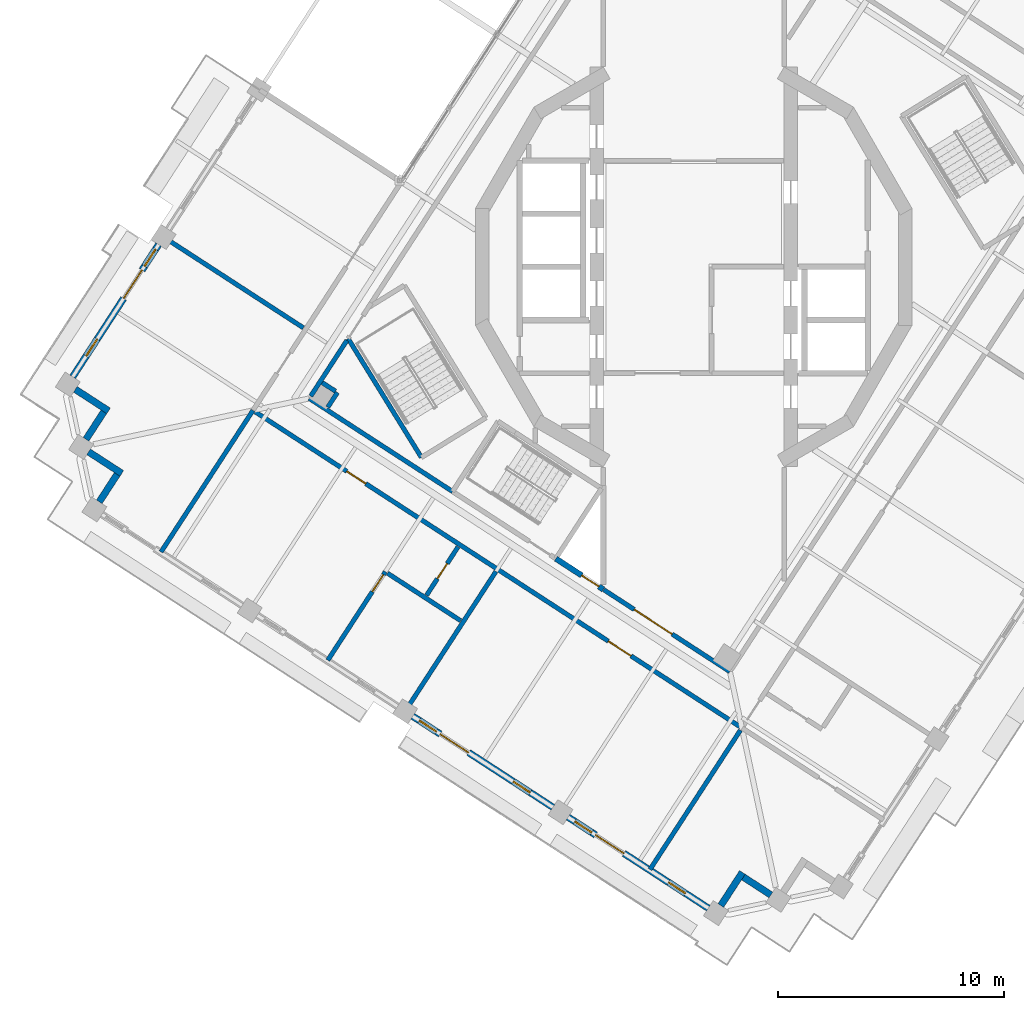
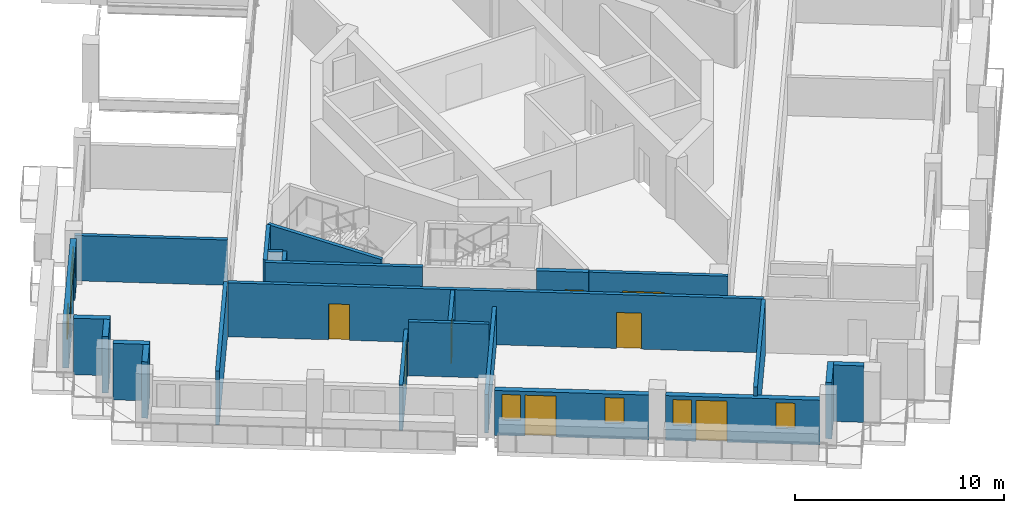
# One storey, part 5 of 17: 24 walls, 9 doors, 6 windows, 15 openings.
"""IFC4 building model written with IfcOpenShell, lengths in metres."""

import ifcopenshell
import ifcopenshell.guid

model = None  # the IFC model being written
_history = None  # IfcOwnerHistory: only IFC2X3 demands one
_inside = {}  # id of a spatial element -> (the spatial element, [elements in it])
_under = {}  # id of a project, library or spatial element -> (it, [spatial elements below it])
_declared = {}  # id of a project -> (the project, [libraries it declares])
_typed = {}  # id of a type object -> (the type object, [elements of that type])
_made_of = {}  # id of a material, layer set ... -> (it, [elements and type objects made of it])


def new_model(schema):
    """Start an empty IFC model of exactly this schema.

    Asked for "IFC4X3", IfcOpenShell would pick the latest addendum, in which some entities
    have other attributes; the version numbers below select the first issue.
    IFC2X3 requires an IfcOwnerHistory on every rooted entity: one is made here for all.
    """
    global model, _history
    if schema == "IFC4X3":
        model = ifcopenshell.file(schema_version=(4, 3, 0, 0))
    else:
        model = ifcopenshell.file(schema=schema)
    _inside.clear()
    _under.clear()
    _declared.clear()
    _typed.clear()
    _made_of.clear()
    _history = None
    if model.schema == "IFC2X3":
        org = make("IfcOrganization", Name="unknown")
        user = make(
            "IfcPersonAndOrganization",
            ThePerson=make("IfcPerson", FamilyName="unknown"),
            TheOrganization=org,
        )
        app = make(
            "IfcApplication",
            ApplicationDeveloper=org,
            Version="unknown",
            ApplicationFullName="unknown",
            ApplicationIdentifier="unknown",
        )
        _history = make(
            "IfcOwnerHistory",
            OwningUser=user,
            OwningApplication=app,
            ChangeAction="ADDED",
            CreationDate=0,
        )
    return model


def make(cls, **values):
    """One entity of the class cls with the attributes given. An attribute that is None is left unset."""
    return model.create_entity(
        cls, **{name: value for name, value in values.items() if value is not None}
    )


def rooted(cls, **values):
    """An entity with a GlobalId (a new one), such as an element, a storey or a relation."""
    return make(cls, GlobalId=ifcopenshell.guid.new(), OwnerHistory=_history, **values)


def si_unit(unit_type, name, prefix=None):
    """IfcSIUnit, for example si_unit("LENGTHUNIT", "METRE", prefix="MILLI")."""
    return make("IfcSIUnit", UnitType=unit_type, Prefix=prefix, Name=name)


def assignment(units):
    """IfcUnitAssignment: the units of a project."""
    return None if units is None else make("IfcUnitAssignment", Units=units)


def point(xyz):
    """IfcCartesianPoint."""
    return None if xyz is None else make("IfcCartesianPoint", Coordinates=xyz)


def direction(xyz):
    """IfcDirection."""
    return None if xyz is None else make("IfcDirection", DirectionRatios=xyz)


def frame(location, z_axis=None, x_axis=None):
    """IfcAxis2Placement3D, a coordinate frame: its origin and axes. An axis left out is left unset."""
    return make(
        "IfcAxis2Placement3D",
        Location=point(location),
        Axis=direction(z_axis),
        RefDirection=direction(x_axis),
    )


def frame_2d(location, x_axis=None):
    """IfcAxis2Placement2D, a coordinate frame in the plane: its origin and x axis."""
    return make(
        "IfcAxis2Placement2D", Location=point(location), RefDirection=direction(x_axis)
    )


def origin():
    """The frame at (0, 0, 0) with its axes left unset."""
    return frame((0.0, 0.0, 0.0))


def place(relative_to, where):
    """IfcLocalPlacement: puts the frame where relative to a parent placement (None: the world)."""
    return make(
        "IfcLocalPlacement", PlacementRelTo=relative_to, RelativePlacement=where
    )


def context(
    kind, dimensions, precision=None, world=None, true_north=None, identifier=None
):
    """IfcGeometricRepresentationContext, for example the 3D "Model" context."""
    return make(
        "IfcGeometricRepresentationContext",
        ContextIdentifier=identifier,
        ContextType=kind,
        CoordinateSpaceDimension=dimensions,
        Precision=precision,
        WorldCoordinateSystem=world,
        TrueNorth=true_north,
    )


def subcontext(parent, identifier, kind, view, scale=None):
    """IfcGeometricRepresentationSubContext, for example "Body" below "Model"."""
    return make(
        "IfcGeometricRepresentationSubContext",
        ContextIdentifier=identifier,
        ContextType=kind,
        ParentContext=parent,
        TargetScale=scale,
        TargetView=view,
    )


def project(units=None, contexts=None):
    """IfcProject with its units and contexts."""
    return rooted(
        "IfcProject",
        Name="project",
        RepresentationContexts=contexts,
        UnitsInContext=assignment(units),
    )


def spatial(cls, under=None, at=None, **own):
    """A site, building, storey or space (cls), placed at a placement, below another one or the project."""
    s = rooted(cls, ObjectPlacement=at, **own)
    if under is not None:
        _under.setdefault(under.id(), (under, []))[1].append(s)
    return s


def profile(cls, at=None, kind="AREA", **sizes):
    """A parametric profile (cls). Its sizes go by their IFC names, for example OverallWidth=200.0."""
    return make(cls, ProfileType=kind, Position=at, **sizes)


def rectangle(**sizes):
    """IfcRectangleProfileDef."""
    return profile("IfcRectangleProfileDef", **sizes)


def extrude(swept, where, along, depth):
    """IfcExtrudedAreaSolid: the profile swept, set in the frame where, extruded along a direction by depth."""
    return make(
        "IfcExtrudedAreaSolid",
        SweptArea=swept,
        Position=where,
        ExtrudedDirection=direction(along),
        Depth=depth,
    )


def shape(context_of_items, identifier, shape_type, items):
    """IfcShapeRepresentation: the items that make up one representation, for example the "Body"."""
    return make(
        "IfcShapeRepresentation",
        ContextOfItems=context_of_items,
        RepresentationIdentifier=identifier,
        RepresentationType=shape_type,
        Items=items,
    )


def material(Name=None, Category=None):
    """IfcMaterial."""
    return make("IfcMaterial", Name=Name, Category=Category)


def layer(
    of_material, thickness, ventilated=None, Name=None, Category=None, Priority=None
):
    """IfcMaterialLayer: one layer of a wall or slab, of a material (None: an air gap)."""
    return make(
        "IfcMaterialLayer",
        Material=of_material,
        LayerThickness=thickness,
        IsVentilated=ventilated,
        Name=Name,
        Category=Category,
        Priority=Priority,
    )


def layer_set(layers, Name=None):
    """IfcMaterialLayerSet."""
    return make("IfcMaterialLayerSet", MaterialLayers=layers, LayerSetName=Name)


def made_of(thing, what):
    """Note that an element or type object is made of a material, layer set ...; save() writes the relation."""
    if what is not None:
        _made_of.setdefault(what.id(), (what, []))[1].append(thing)
    return thing


def type_object(cls, material=None, **own):
    """A type object (cls), such as IfcWallType, which elements share."""
    return made_of(rooted(cls, **own), material)


def element(
    cls,
    number,
    at=None,
    inside=None,
    cuts=None,
    type_object=None,
    material=None,
    context=None,
    identifier="Body",
    shape_type=None,
    held_by="IfcProductDefinitionShape",
    body=None,
    shapes=None,
    **own,
):
    """One element of the class cls, such as IfcWall. Its Tag is "e" and its number.

    at: its placement. inside: the storey or other place that contains it. cuts: it is an
    opening in that element (IfcRelVoidsElement). A single representation is given by context,
    identifier, shape_type and body (its items); several are given by shapes. held_by: the class
    of the entity that holds the representations. save() writes the other relations.
    """
    e = rooted(cls, Tag="e%d" % number, ObjectPlacement=at, **own)
    if body is not None:
        shapes = [shape(context, identifier, shape_type, body)]
    if shapes is not None:
        e.Representation = make(held_by, Representations=shapes)
    if inside is not None:
        _inside.setdefault(inside.id(), (inside, []))[1].append(e)
    if cuts is not None:
        rooted(
            "IfcRelVoidsElement", RelatingBuildingElement=cuts, RelatedOpeningElement=e
        )
    if type_object is not None:
        _typed.setdefault(type_object.id(), (type_object, []))[1].append(e)
    return made_of(e, material)


def fill(opening, filler):
    """IfcRelFillsElement: the door or window that sits in an opening."""
    return rooted(
        "IfcRelFillsElement",
        RelatingOpeningElement=opening,
        RelatedBuildingElement=filler,
    )


def aggregate(whole, parts):
    """IfcRelAggregates: a whole, such as a stair, and the parts it consists of."""
    return rooted("IfcRelAggregates", RelatingObject=whole, RelatedObjects=parts)


def save(model, path):
    """Write the relations noted so far, then the file.

    IfcRelAggregates (storeys below a building ...), IfcRelContainedInSpatialStructure (elements
    in a storey), IfcRelDefinesByType, IfcRelAssociatesMaterial and IfcRelDeclares: one each for
    every whole, place, type object, material and project.
    """
    for whole, parts in _under.values():
        aggregate(whole, parts)
    for where, things in _inside.values():
        rooted(
            "IfcRelContainedInSpatialStructure",
            RelatedElements=things,
            RelatingStructure=where,
        )
    for kind, things in _typed.values():
        rooted("IfcRelDefinesByType", RelatedObjects=things, RelatingType=kind)
    for what, things in _made_of.values():
        rooted("IfcRelAssociatesMaterial", RelatedObjects=things, RelatingMaterial=what)
    for by, libraries in _declared.values():
        rooted("IfcRelDeclares", RelatingContext=by, RelatedDefinitions=libraries)
    model.write(path)


model = new_model("IFC4")

# Units and contexts
model_context = context("Model", 3, precision=1e-05, world=origin(), true_north=direction((0.0, 1.0)))
body_context = subcontext(model_context, "Body", "Model", "MODEL_VIEW")
ifc_project = project(units=[si_unit("LENGTHUNIT", "METRE"), si_unit("AREAUNIT", "SQUARE_METRE"), si_unit("VOLUMEUNIT", "CUBIC_METRE"), si_unit("PLANEANGLEUNIT", "RADIAN"), si_unit("MASSUNIT", "GRAM", prefix="KILO")], contexts=[model_context])

# Site, building, storey
site_placement = place(None, origin())
site = spatial("IfcSite", under=ifc_project, at=site_placement, CompositionType="ELEMENT")
building_placement = place(site_placement, origin())
building = spatial("IfcBuilding", under=site, at=building_placement, Name="Cantera Rosa Tower", CompositionType="ELEMENT")
storey_placement = place(building_placement, frame((0.0, 0.0, 286.5)))
storey = spatial("IfcBuildingStorey", under=building, at=storey_placement, Name="L65", CompositionType="ELEMENT", Elevation=286.5)

# Wall, openings, doors
ifc_material_1 = material(Name="Gypsum board partition")
ifc_layer_1 = layer(ifc_material_1, 0.199951171875)
ifc_layer_set_1 = layer_set([ifc_layer_1], Name="CORRIDOR WALL 200 H3150")
wall_type_1 = type_object("IfcWallType", Name="CORRIDOR WALL 200 H3150", PredefinedType="PARTITIONING", material=ifc_layer_set_1)
wall_1_placement = place(storey_placement, frame((-19.4052734375, -6.416259765625, 0.0), z_axis=(0.0, 0.0, 1.0), x_axis=(0.83867117695, -0.544638097229, 0.0)))
wall_1 = element("IfcWall", 1, at=wall_1_placement, inside=storey, type_object=wall_type_1, Name="CORRIDOR WALL L65-002", PredefinedType="PARTITIONING", context=body_context, shape_type="SweptSolid", body=[
    extrude(rectangle(XDim=25.679931640625, YDim=0.199951171875, at=frame_2d((12.83984375, 0.0))), origin(), (0.0, 0.0, 1.0), 3.14990234375),
])
opening_1_placement = place(wall_1_placement, frame((18.6298828125, 0.0, 0.0)))
opening_1 = element("IfcOpeningElement", 2, at=opening_1_placement, cuts=wall_1, Name="Opening L65-029", PredefinedType="OPENING", context=body_context, shape_type="SweptSolid", body=[
    extrude(rectangle(XDim=1.199951171875, YDim=2.10009765625, at=frame_2d((0.60009765625, 1.050048828125))), frame((0.0, 0.10986328125, 0.0), z_axis=(0.0, -1.0, 0.0), x_axis=(1.0, 0.0, 0.0)), (0.0, 0.0, 1.0), 0.219970703125),
])
opening_2_placement = place(wall_1_placement, frame((4.830078125, 0.0, 0.0)))
opening_2 = element("IfcOpeningElement", 3, at=opening_2_placement, cuts=wall_1, Name="Opening L65-030", PredefinedType="OPENING", context=body_context, shape_type="SweptSolid", body=[
    extrude(rectangle(XDim=1.0, YDim=2.10009765625, at=frame_2d((0.5, 1.050048828125))), frame((0.0, 0.10986328125, 0.0), z_axis=(0.0, -1.0, 0.0), x_axis=(1.0, 0.0, 0.0)), (0.0, 0.0, 1.0), 0.219970703125),
])
ifc_material_2 = material(Name="Timber door leaf", Category="wood")
door_type_1 = type_object("IfcDoorType", Name="ENTRANCE DOOR 1000x2100", OperationType="NOTDEFINED", PredefinedType="DOOR", material=ifc_material_2)
door_1_placement = place(opening_2_placement, origin())
door_1 = element("IfcDoor", 4, at=door_1_placement, inside=storey, type_object=door_type_1, Name="DOOR L65-030", OperationType="NOTDEFINED", OverallHeight=2.10009765625, OverallWidth=1.0, PredefinedType="DOOR", context=body_context, shape_type="SweptSolid", body=[
    extrude(rectangle(XDim=1.0, YDim=2.10009765625, at=frame_2d((0.5, 1.050048828125))), frame((0.0, 0.02490234375, 0.0), z_axis=(0.0, -1.0, 0.0), x_axis=(1.0, 0.0, 0.0)), (0.0, 0.0, 1.0), 0.050048828125),
])
fill(opening_2, door_1)
ifc_material_3 = material(Name="Timber door leaf", Category="wood")
door_type_2 = type_object("IfcDoorType", Name="ROOM DOOR 1200x2100", OperationType="NOTDEFINED", PredefinedType="DOOR", material=ifc_material_3)
door_2_placement = place(opening_1_placement, origin())
door_2 = element("IfcDoor", 5, at=door_2_placement, inside=storey, type_object=door_type_2, Name="DOOR L65-029", OperationType="NOTDEFINED", OverallHeight=2.10009765625, OverallWidth=1.199951171875, PredefinedType="DOOR", context=body_context, shape_type="SweptSolid", body=[
    extrude(rectangle(XDim=1.199951171875, YDim=2.10009765625, at=frame_2d((0.60009765625, 1.050048828125))), frame((0.0, 0.02490234375, 0.0), z_axis=(0.0, -1.0, 0.0), x_axis=(1.0, 0.0, 0.0)), (0.0, 0.0, 1.0), 0.050048828125),
])
fill(opening_1, door_2)

# Walls
wall_2_placement = place(storey_placement, frame((-17.015869140625, -5.82177734375, 0.0), z_axis=(0.0, 0.0, 1.0), x_axis=(0.838672854678, -0.544635513739, 0.0)))
element("IfcWall", 6, at=wall_2_placement, inside=storey, type_object=wall_type_1, Name="CORRIDOR WALL L65-005", PredefinedType="PARTITIONING", context=body_context, shape_type="SweptSolid", body=[
    extrude(rectangle(XDim=7.56494140625, YDim=0.199951171875, at=frame_2d((3.782470703125, 0.0))), origin(), (0.0, 0.0, 1.0), 3.14990234375),
])
wall_3_placement = place(storey_placement, frame((-15.349853515625, -3.256103515625, 0.0), z_axis=(0.0, 0.0, 1.0), x_axis=(-0.544576607641, -0.838711105453, 0.0)))
element("IfcWall", 7, at=wall_3_placement, inside=storey, type_object=wall_type_1, Name="CORRIDOR WALL L65-009", PredefinedType="PARTITIONING", context=body_context, shape_type="SweptSolid", body=[
    extrude(rectangle(XDim=2.939208984375, YDim=0.199951171875, at=frame_2d((1.4697265625, 0.0))), origin(), (0.0, 0.0, 1.0), 3.14990234375),
])

# Wall, opening, door
wall_4_placement = place(storey_placement, frame((-3.983154296875, -14.28515625, 0.0), z_axis=(0.0, 0.0, 1.0), x_axis=(0.838667157642, -0.544644286387, 0.0)))
wall_4 = element("IfcWall", 8, at=wall_4_placement, inside=storey, type_object=wall_type_1, Name="CORRIDOR WALL L65-037", PredefinedType="PARTITIONING", context=body_context, shape_type="SweptSolid", body=[
    extrude(rectangle(XDim=6.66015625, YDim=0.199951171875, at=frame_2d((3.330078125, 0.0))), origin(), (0.0, 0.0, 1.0), 3.14990234375),
])
opening_3_placement = place(wall_4_placement, frame((1.6103515625, 0.0, 0.0)))
opening_3 = element("IfcOpeningElement", 9, at=opening_3_placement, cuts=wall_4, Name="Opening L65-010", PredefinedType="OPENING", context=body_context, shape_type="SweptSolid", body=[
    extrude(rectangle(XDim=2.0, YDim=2.10009765625, at=frame_2d((1.0, 1.050048828125))), frame((0.0, 0.10986328125, 0.0), z_axis=(0.0, -1.0, 0.0), x_axis=(1.0, 0.0, 0.0)), (0.0, 0.0, 1.0), 0.219970703125),
])
ifc_material_4 = material(Name="Steel S355J2 (EN 10025-2)", Category="steel")
door_type_3 = type_object("IfcDoorType", Name="LOBBY SCREEN DOOR 2000x2100", OperationType="NOTDEFINED", PredefinedType="DOOR", material=ifc_material_4)
door_3_placement = place(opening_3_placement, origin())
door_3 = element("IfcDoor", 10, at=door_3_placement, inside=storey, type_object=door_type_3, Name="DOOR L65-010", OperationType="NOTDEFINED", OverallHeight=2.10009765625, OverallWidth=2.0, PredefinedType="DOOR", context=body_context, shape_type="SweptSolid", body=[
    extrude(rectangle(XDim=2.0, YDim=2.10009765625, at=frame_2d((1.0, 1.050048828125))), frame((0.0, 0.02490234375, 0.0), z_axis=(0.0, -1.0, 0.0), x_axis=(1.0, 0.0, 0.0)), (0.0, 0.0, 1.0), 0.050048828125),
])
fill(opening_3, door_3)

# Walls
ifc_material_5 = material(Name="Hollow clay masonry with cantera stone cladding", Category="masonry")
ifc_layer_2 = layer(ifc_material_5, 0.300048828125)
ifc_layer_set_2 = layer_set([ifc_layer_2], Name="EW-LOGGIA 300")
wall_type_2 = type_object("IfcWallType", Name="EW-LOGGIA 300", PredefinedType="SOLIDWALL", material=ifc_layer_set_2)
wall_5_placement = place(storey_placement, frame((-27.36669921875, -5.41943359375, 0.0), z_axis=(0.0, 0.0, 1.0), x_axis=(0.838685761837, -0.54461563776, 0.0)))
element("IfcWall", 11, at=wall_5_placement, inside=storey, type_object=wall_type_2, Name="EN-L65-W12a", PredefinedType="SOLIDWALL", context=body_context, shape_type="SweptSolid", body=[
    extrude(rectangle(XDim=1.75, YDim=0.300048828125, at=frame_2d((0.875, 0.0))), origin(), (0.0, 0.0, 1.0), 3.300048828125),
])
wall_6_placement = place(storey_placement, frame((-26.1064453125, -6.41650390625, 0.0), z_axis=(0.0, 0.0, 1.0), x_axis=(-0.54467465438, -0.838647435384, 0.0)))
element("IfcWall", 12, at=wall_6_placement, inside=storey, type_object=wall_type_2, Name="EN-L65-W12b", PredefinedType="SOLIDWALL", context=body_context, shape_type="SweptSolid", body=[
    extrude(rectangle(XDim=1.449951171875, YDim=0.300048828125, at=frame_2d((0.72509765625, 0.0))), origin(), (0.0, 0.0, 1.0), 3.300048828125),
])
wall_7_placement = place(storey_placement, frame((-26.778564453125, -8.18603515625, 0.0), z_axis=(0.0, 0.0, 1.0), x_axis=(0.838685761837, -0.54461563776, 0.0)))
element("IfcWall", 13, at=wall_7_placement, inside=storey, type_object=wall_type_2, Name="EN-L65-W13a", PredefinedType="SOLIDWALL", context=body_context, shape_type="SweptSolid", body=[
    extrude(rectangle(XDim=1.75, YDim=0.300048828125, at=frame_2d((0.875, 0.0))), origin(), (0.0, 0.0, 1.0), 3.300048828125),
])
wall_8_placement = place(storey_placement, frame((-25.518310546875, -9.18310546875, 0.0), z_axis=(0.0, 0.0, 1.0), x_axis=(-0.54467465438, -0.838647435384, 0.0)))
element("IfcWall", 14, at=wall_8_placement, inside=storey, type_object=wall_type_2, Name="EN-L65-W13b", PredefinedType="SOLIDWALL", context=body_context, shape_type="SweptSolid", body=[
    extrude(rectangle(XDim=1.449951171875, YDim=0.300048828125, at=frame_2d((0.72509765625, 0.0))), origin(), (0.0, 0.0, 1.0), 3.300048828125),
])
wall_9_placement = place(storey_placement, frame((1.2001953125, -28.263427734375, 0.0), z_axis=(0.0, 0.0, 1.0), x_axis=(0.54461563776, 0.838685761837, 0.0)))
element("IfcWall", 15, at=wall_9_placement, inside=storey, type_object=wall_type_2, Name="EN-L65-W18a", PredefinedType="SOLIDWALL", context=body_context, shape_type="SweptSolid", body=[
    extrude(rectangle(XDim=1.75, YDim=0.300048828125, at=frame_2d((0.875, 0.0))), origin(), (0.0, 0.0, 1.0), 3.300048828125),
])
wall_10_placement = place(storey_placement, frame((2.197509765625, -27.003173828125, 0.0), z_axis=(0.0, 0.0, 1.0), x_axis=(0.838647435384, -0.54467465438, 0.0)))
element("IfcWall", 16, at=wall_10_placement, inside=storey, type_object=wall_type_2, Name="EN-L65-W18b", PredefinedType="SOLIDWALL", context=body_context, shape_type="SweptSolid", body=[
    extrude(rectangle(XDim=1.449951171875, YDim=0.300048828125, at=frame_2d((0.72509765625, 0.0))), origin(), (0.0, 0.0, 1.0), 3.300048828125),
])

# Wall, openings, windows, door
ifc_material_6 = material(Name="Hollow clay masonry with cantera stone cladding", Category="masonry")
ifc_layer_3 = layer(ifc_material_6, 0.300048828125)
ifc_layer_set_3 = layer_set([ifc_layer_3], Name="EW-LOGGIA 300 H2620")
wall_type_3 = type_object("IfcWallType", Name="EW-LOGGIA 300 H2620", PredefinedType="SOLIDWALL", material=ifc_layer_set_3)
wall_11_placement = place(storey_placement, frame((-12.436279296875, -19.884765625, 0.0), z_axis=(0.0, 0.0, 1.0), x_axis=(0.838669679097, -0.544640403719, 0.0)))
wall_11 = element("IfcWall", 17, at=wall_11_placement, inside=storey, type_object=wall_type_3, Name="EN-L65-W16", PredefinedType="SOLIDWALL", context=body_context, shape_type="SweptSolid", body=[
    extrude(rectangle(XDim=7.39990234375, YDim=0.300048828125, at=frame_2d((3.699951171875, 0.0))), origin(), (0.0, 0.0, 1.0), 2.6201171875),
])
opening_4_placement = place(wall_11_placement, frame((0.35009765625, 0.0, 0.89990234375)))
opening_4 = element("IfcOpeningElement", 18, at=opening_4_placement, cuts=wall_11, Name="Opening L65-W28", PredefinedType="OPENING", context=body_context, shape_type="SweptSolid", body=[
    extrude(rectangle(XDim=0.89990234375, YDim=1.5, at=frame_2d((0.449951171875, 0.75))), frame((0.0, 0.159912109375, 0.0), z_axis=(0.0, -1.0, 0.0), x_axis=(1.0, 0.0, 0.0)), (0.0, 0.0, 1.0), 0.320068359375),
])
opening_5_placement = place(wall_11_placement, frame((1.449951171875, 0.0, 0.0)))
opening_5 = element("IfcOpeningElement", 19, at=opening_5_placement, cuts=wall_11, Name="Opening L65-TD29", PredefinedType="OPENING", context=body_context, shape_type="SweptSolid", body=[
    extrude(rectangle(XDim=1.5, YDim=2.39990234375, at=frame_2d((0.75, 1.199951171875))), frame((0.0, 0.159912109375, 0.0), z_axis=(0.0, -1.0, 0.0), x_axis=(1.0, 0.0, 0.0)), (0.0, 0.0, 1.0), 0.320068359375),
])
opening_6_placement = place(wall_11_placement, frame((5.300048828125, 0.0, 0.89990234375)))
opening_6 = element("IfcOpeningElement", 20, at=opening_6_placement, cuts=wall_11, Name="Opening L65-W30", PredefinedType="OPENING", context=body_context, shape_type="SweptSolid", body=[
    extrude(rectangle(XDim=0.89990234375, YDim=1.5, at=frame_2d((0.449951171875, 0.75))), frame((0.0, 0.159912109375, 0.0), z_axis=(0.0, -1.0, 0.0), x_axis=(1.0, 0.0, 0.0)), (0.0, 0.0, 1.0), 0.320068359375),
])
ifc_material_7 = material(Name="Aluminium frame with clear glass", Category="aluminium")
window_type = type_object("IfcWindowType", Name="Residential window 900x1500", PartitioningType="SINGLE_PANEL", PredefinedType="WINDOW", material=ifc_material_7)
window_1_placement = place(opening_4_placement, origin())
window_1 = element("IfcWindow", 21, at=window_1_placement, inside=storey, type_object=window_type, Name="WINDOW L65-W28", OverallHeight=1.5, OverallWidth=0.89990234375, PartitioningType="SINGLE_PANEL", PredefinedType="WINDOW", context=body_context, shape_type="SweptSolid", body=[
    extrude(rectangle(XDim=0.89990234375, YDim=1.5, at=frame_2d((0.449951171875, 0.75))), frame((0.0, 0.030029296875, 0.0), z_axis=(0.0, -1.0, 0.0), x_axis=(1.0, 0.0, 0.0)), (0.0, 0.0, 1.0), 0.06005859375),
])
fill(opening_4, window_1)
window_2_placement = place(opening_6_placement, origin())
window_2 = element("IfcWindow", 22, at=window_2_placement, inside=storey, type_object=window_type, Name="WINDOW L65-W30", OverallHeight=1.5, OverallWidth=0.89990234375, PartitioningType="SINGLE_PANEL", PredefinedType="WINDOW", context=body_context, shape_type="SweptSolid", body=[
    extrude(rectangle(XDim=0.89990234375, YDim=1.5, at=frame_2d((0.449951171875, 0.75))), frame((0.0, 0.030029296875, 0.0), z_axis=(0.0, -1.0, 0.0), x_axis=(1.0, 0.0, 0.0)), (0.0, 0.0, 1.0), 0.06005859375),
])
fill(opening_6, window_2)
ifc_material_8 = material(Name="Aluminium frame with clear glass", Category="aluminium")
door_type_4 = type_object("IfcDoorType", Name="TD-R 1500x2400", OperationType="NOTDEFINED", PredefinedType="DOOR", material=ifc_material_8)
door_4_placement = place(opening_5_placement, origin())
door_4 = element("IfcDoor", 23, at=door_4_placement, inside=storey, type_object=door_type_4, Name="LOGGIA DOOR L65-TD29", OperationType="SLIDING_TO_LEFT", OverallHeight=2.39990234375, OverallWidth=1.5, PredefinedType="DOOR", context=body_context, shape_type="SweptSolid", body=[
    extrude(rectangle(XDim=1.5, YDim=2.39990234375, at=frame_2d((0.75, 1.199951171875))), frame((0.0, 0.02490234375, 0.0), z_axis=(0.0, -1.0, 0.0), x_axis=(1.0, 0.0, 0.0)), (0.0, 0.0, 1.0), 0.050048828125),
])
fill(opening_5, door_4)

wall_12_placement = place(storey_placement, frame((-5.559326171875, -24.350830078125, 0.0), z_axis=(0.0, 0.0, 1.0), x_axis=(0.838679465365, -0.544625333946, 0.0)))
wall_12 = element("IfcWall", 24, at=wall_12_placement, inside=storey, type_object=wall_type_3, Name="EN-L65-W17", PredefinedType="SOLIDWALL", context=body_context, shape_type="SweptSolid", body=[
    extrude(rectangle(XDim=7.400146484375, YDim=0.300048828125, at=frame_2d((3.7001953125, 0.0))), origin(), (0.0, 0.0, 1.0), 2.6201171875),
])
opening_7_placement = place(wall_12_placement, frame((0.35009765625, 0.0, 0.89990234375)))
opening_7 = element("IfcOpeningElement", 25, at=opening_7_placement, cuts=wall_12, Name="Opening L65-W31", PredefinedType="OPENING", context=body_context, shape_type="SweptSolid", body=[
    extrude(rectangle(XDim=0.89990234375, YDim=1.5, at=frame_2d((0.449951171875, 0.75))), frame((0.0, 0.159912109375, 0.0), z_axis=(0.0, -1.0, 0.0), x_axis=(1.0, 0.0, 0.0)), (0.0, 0.0, 1.0), 0.320068359375),
])
opening_8_placement = place(wall_12_placement, frame((1.449951171875, 0.0, 0.0)))
opening_8 = element("IfcOpeningElement", 26, at=opening_8_placement, cuts=wall_12, Name="Opening L65-TD32", PredefinedType="OPENING", context=body_context, shape_type="SweptSolid", body=[
    extrude(rectangle(XDim=1.5, YDim=2.39990234375, at=frame_2d((0.75, 1.199951171875))), frame((0.0, 0.159912109375, 0.0), z_axis=(0.0, -1.0, 0.0), x_axis=(1.0, 0.0, 0.0)), (0.0, 0.0, 1.0), 0.320068359375),
])
opening_9_placement = place(wall_12_placement, frame((5.300048828125, 0.0, 0.89990234375)))
opening_9 = element("IfcOpeningElement", 27, at=opening_9_placement, cuts=wall_12, Name="Opening L65-W33", PredefinedType="OPENING", context=body_context, shape_type="SweptSolid", body=[
    extrude(rectangle(XDim=0.89990234375, YDim=1.5, at=frame_2d((0.449951171875, 0.75))), frame((0.0, 0.159912109375, 0.0), z_axis=(0.0, -1.0, 0.0), x_axis=(1.0, 0.0, 0.0)), (0.0, 0.0, 1.0), 0.320068359375),
])
window_3_placement = place(opening_7_placement, origin())
window_3 = element("IfcWindow", 28, at=window_3_placement, inside=storey, type_object=window_type, Name="WINDOW L65-W31", OverallHeight=1.5, OverallWidth=0.89990234375, PartitioningType="SINGLE_PANEL", PredefinedType="WINDOW", context=body_context, shape_type="SweptSolid", body=[
    extrude(rectangle(XDim=0.89990234375, YDim=1.5, at=frame_2d((0.449951171875, 0.75))), frame((0.0, 0.030029296875, 0.0), z_axis=(0.0, -1.0, 0.0), x_axis=(1.0, 0.0, 0.0)), (0.0, 0.0, 1.0), 0.06005859375),
])
fill(opening_7, window_3)
window_4_placement = place(opening_9_placement, origin())
window_4 = element("IfcWindow", 29, at=window_4_placement, inside=storey, type_object=window_type, Name="WINDOW L65-W33", OverallHeight=1.5, OverallWidth=0.89990234375, PartitioningType="SINGLE_PANEL", PredefinedType="WINDOW", context=body_context, shape_type="SweptSolid", body=[
    extrude(rectangle(XDim=0.89990234375, YDim=1.5, at=frame_2d((0.449951171875, 0.75))), frame((0.0, 0.030029296875, 0.0), z_axis=(0.0, -1.0, 0.0), x_axis=(1.0, 0.0, 0.0)), (0.0, 0.0, 1.0), 0.06005859375),
])
fill(opening_9, window_4)
door_5_placement = place(opening_8_placement, origin())
door_5 = element("IfcDoor", 30, at=door_5_placement, inside=storey, type_object=door_type_4, Name="LOGGIA DOOR L65-TD32", OperationType="SLIDING_TO_LEFT", OverallHeight=2.39990234375, OverallWidth=1.5, PredefinedType="DOOR", context=body_context, shape_type="SweptSolid", body=[
    extrude(rectangle(XDim=1.5, YDim=2.39990234375, at=frame_2d((0.75, 1.199951171875))), frame((0.0, 0.02490234375, 0.0), z_axis=(0.0, -1.0, 0.0), x_axis=(1.0, 0.0, 0.0)), (0.0, 0.0, 1.0), 0.050048828125),
])
fill(opening_8, door_5)

ifc_material_9 = material(Name="Hollow clay masonry with cantera stone cladding", Category="masonry")
ifc_layer_4 = layer(ifc_material_9, 0.300048828125)
ifc_layer_set_4 = layer_set([ifc_layer_4], Name="EW-LOGGIA 300 H2690")
wall_type_4 = type_object("IfcWallType", Name="EW-LOGGIA 300 H2690", PredefinedType="SOLIDWALL", material=ifc_layer_set_4)
wall_13_placement = place(storey_placement, frame((-23.6826171875, 0.98779296875, 0.0), z_axis=(0.0, 0.0, 1.0), x_axis=(-0.544667428764, -0.838652128146, 0.0)))
wall_13 = element("IfcWall", 31, at=wall_13_placement, inside=storey, type_object=wall_type_4, Name="EN-L65-W11", PredefinedType="SOLIDWALL", context=body_context, shape_type="SweptSolid", body=[
    extrude(rectangle(XDim=6.97998046875, YDim=0.300048828125, at=frame_2d((3.489990234375, 0.0))), origin(), (0.0, 0.0, 1.0), 2.68994140625),
])
opening_10_placement = place(wall_13_placement, frame((0.2451171875, 0.0, 0.89990234375)))
opening_10 = element("IfcOpeningElement", 32, at=opening_10_placement, cuts=wall_13, Name="Opening L65-W19", PredefinedType="OPENING", context=body_context, shape_type="SweptSolid", body=[
    extrude(rectangle(XDim=0.89990234375, YDim=1.5, at=frame_2d((0.449951171875, 0.75))), frame((0.0, 0.159912109375, 0.0), z_axis=(0.0, -1.0, 0.0), x_axis=(1.0, 0.0, 0.0)), (0.0, 0.0, 1.0), 0.320068359375),
])
opening_11_placement = place(wall_13_placement, frame((1.344970703125, 0.0, 0.0)))
opening_11 = element("IfcOpeningElement", 33, at=opening_11_placement, cuts=wall_13, Name="Opening L65-TD20", PredefinedType="OPENING", context=body_context, shape_type="SweptSolid", body=[
    extrude(rectangle(XDim=1.5, YDim=2.39990234375, at=frame_2d((0.75, 1.199951171875))), frame((0.0, 0.159912109375, 0.0), z_axis=(0.0, -1.0, 0.0), x_axis=(1.0, 0.0, 0.0)), (0.0, 0.0, 1.0), 0.320068359375),
])
opening_12_placement = place(wall_13_placement, frame((4.985107421875, 0.0, 0.89990234375)))
opening_12 = element("IfcOpeningElement", 34, at=opening_12_placement, cuts=wall_13, Name="Opening L65-W21", PredefinedType="OPENING", context=body_context, shape_type="SweptSolid", body=[
    extrude(rectangle(XDim=0.89990234375, YDim=1.5, at=frame_2d((0.449951171875, 0.75))), frame((0.0, 0.159912109375, 0.0), z_axis=(0.0, -1.0, 0.0), x_axis=(1.0, 0.0, 0.0)), (0.0, 0.0, 1.0), 0.320068359375),
])
window_5_placement = place(opening_10_placement, origin())
window_5 = element("IfcWindow", 35, at=window_5_placement, inside=storey, type_object=window_type, Name="WINDOW L65-W19", OverallHeight=1.5, OverallWidth=0.89990234375, PartitioningType="SINGLE_PANEL", PredefinedType="WINDOW", context=body_context, shape_type="SweptSolid", body=[
    extrude(rectangle(XDim=0.89990234375, YDim=1.5, at=frame_2d((0.449951171875, 0.75))), frame((0.0, 0.030029296875, 0.0), z_axis=(0.0, -1.0, 0.0), x_axis=(1.0, 0.0, 0.0)), (0.0, 0.0, 1.0), 0.06005859375),
])
fill(opening_10, window_5)
window_6_placement = place(opening_12_placement, origin())
window_6 = element("IfcWindow", 36, at=window_6_placement, inside=storey, type_object=window_type, Name="WINDOW L65-W21", OverallHeight=1.5, OverallWidth=0.89990234375, PartitioningType="SINGLE_PANEL", PredefinedType="WINDOW", context=body_context, shape_type="SweptSolid", body=[
    extrude(rectangle(XDim=0.89990234375, YDim=1.5, at=frame_2d((0.449951171875, 0.75))), frame((0.0, 0.030029296875, 0.0), z_axis=(0.0, -1.0, 0.0), x_axis=(1.0, 0.0, 0.0)), (0.0, 0.0, 1.0), 0.06005859375),
])
fill(opening_12, window_6)
door_6_placement = place(opening_11_placement, origin())
door_6 = element("IfcDoor", 37, at=door_6_placement, inside=storey, type_object=door_type_4, Name="LOGGIA DOOR L65-TD20", OperationType="SLIDING_TO_LEFT", OverallHeight=2.39990234375, OverallWidth=1.5, PredefinedType="DOOR", context=body_context, shape_type="SweptSolid", body=[
    extrude(rectangle(XDim=1.5, YDim=2.39990234375, at=frame_2d((0.75, 1.199951171875))), frame((0.0, 0.02490234375, 0.0), z_axis=(0.0, -1.0, 0.0), x_axis=(1.0, 0.0, 0.0)), (0.0, 0.0, 1.0), 0.050048828125),
])
fill(opening_11, door_6)

# Wall
ifc_material_10 = material(Name="Gypsum board partition")
ifc_layer_5 = layer(ifc_material_10, 0.199951171875)
ifc_layer_set_5 = layer_set([ifc_layer_5], Name="PARTITION 200 H2650")
wall_type_5 = type_object("IfcWallType", Name="PARTITION 200 H2650", PredefinedType="PARTITIONING", material=ifc_layer_set_5)
wall_14_placement = place(storey_placement, frame((-17.275390625, -2.696044921875, 0.0), z_axis=(0.0, 0.0, 1.0), x_axis=(-0.838684106336, 0.544618187155, 0.0)))
element("IfcWall", 38, at=wall_14_placement, inside=storey, type_object=wall_type_5, Name="PARTITION L65-004", PredefinedType="PARTITIONING", context=body_context, shape_type="SweptSolid", body=[
    extrude(rectangle(XDim=7.349853515625, YDim=0.199951171875, at=frame_2d((3.6748046875, 0.0))), origin(), (0.0, 0.0, 1.0), 2.64990234375),
])

# Wall, opening, door
wall_15_placement = place(storey_placement, frame((-16.194091796875, -17.40869140625, 0.0), z_axis=(0.0, 0.0, 1.0), x_axis=(0.544683283636, 0.838641830895, 0.0)))
wall_15 = element("IfcWall", 39, at=wall_15_placement, inside=storey, type_object=wall_type_5, Name="PARTITION L65-007", PredefinedType="PARTITIONING", context=body_context, shape_type="SweptSolid", body=[
    extrude(rectangle(XDim=4.670166015625, YDim=0.199951171875, at=frame_2d((2.3349609375, 0.0))), origin(), (0.0, 0.0, 1.0), 2.64990234375),
])
opening_13_placement = place(wall_15_placement, frame((3.6201171875, 0.0, 0.0)))
opening_13 = element("IfcOpeningElement", 40, at=opening_13_placement, cuts=wall_15, Name="Opening L65-032", PredefinedType="OPENING", context=body_context, shape_type="SweptSolid", body=[
    extrude(rectangle(XDim=0.89990234375, YDim=2.10009765625, at=frame_2d((0.449951171875, 1.050048828125))), frame((0.0, 0.10986328125, 0.0), z_axis=(0.0, -1.0, 0.0), x_axis=(1.0, 0.0, 0.0)), (0.0, 0.0, 1.0), 0.219970703125),
])
ifc_material_11 = material(Name="Timber door leaf", Category="wood")
door_type_5 = type_object("IfcDoorType", Name="ROOM DOOR 900x2100", OperationType="NOTDEFINED", PredefinedType="DOOR", material=ifc_material_11)
door_7_placement = place(opening_13_placement, origin())
door_7 = element("IfcDoor", 41, at=door_7_placement, inside=storey, type_object=door_type_5, Name="DOOR L65-032", OperationType="NOTDEFINED", OverallHeight=2.10009765625, OverallWidth=0.89990234375, PredefinedType="DOOR", context=body_context, shape_type="SweptSolid", body=[
    extrude(rectangle(XDim=0.89990234375, YDim=2.10009765625, at=frame_2d((0.449951171875, 1.050048828125))), frame((0.0, 0.02490234375, 0.0), z_axis=(0.0, -1.0, 0.0), x_axis=(1.0, 0.0, 0.0)), (0.0, 0.0, 1.0), 0.050048828125),
])
fill(opening_13, door_7)

# Walls
ifc_material_12 = material(Name="Gypsum board partition")
ifc_layer_6 = layer(ifc_material_12, 0.199951171875)
ifc_layer_set_6 = layer_set([ifc_layer_6], Name="PARTITION 200 H3150")
wall_type_6 = type_object("IfcWallType", Name="PARTITION 200 H3150", PredefinedType="PARTITIONING", material=ifc_layer_set_6)
wall_16_placement = place(storey_placement, frame((-16.19580078125, -6.211181640625, 0.0), z_axis=(0.0, 0.0, 1.0), x_axis=(0.544691230082, 0.838636669764, 0.0)))
element("IfcWall", 42, at=wall_16_placement, inside=storey, type_object=wall_type_6, Name="PARTITION L65-006", PredefinedType="PARTITIONING", context=body_context, shape_type="SweptSolid", body=[
    extrude(rectangle(XDim=0.77978515625, YDim=0.199951171875, at=frame_2d((0.389892578125, 0.0))), origin(), (0.0, 0.0, 1.0), 3.14990234375),
])
wall_17_placement = place(storey_placement, frame((-15.854736328125, -5.502685546875, 0.0), z_axis=(0.0, 0.0, 1.0), x_axis=(-0.838642734471, 0.544681892409, 0.0)))
element("IfcWall", 43, at=wall_17_placement, inside=storey, type_object=wall_type_6, Name="PARTITION L65-008", PredefinedType="PARTITIONING", context=body_context, shape_type="SweptSolid", body=[
    extrude(rectangle(XDim=0.7001953125, YDim=0.199951171875, at=frame_2d((0.35009765625, 0.0))), origin(), (0.0, 0.0, 1.0), 3.14990234375),
])
wall_18_placement = place(storey_placement, frame((-13.5498046875, -13.557373046875, 0.0), z_axis=(0.0, 0.0, 1.0), x_axis=(0.838674747919, -0.544632598366, 0.0)))
element("IfcWall", 44, at=wall_18_placement, inside=storey, type_object=wall_type_6, Name="PARTITION L65-012", PredefinedType="PARTITIONING", context=body_context, shape_type="SweptSolid", body=[
    extrude(rectangle(XDim=3.860107421875, YDim=0.199951171875, at=frame_2d((1.93017578125, 0.0))), origin(), (0.0, 0.0, 1.0), 3.14990234375),
])

# Wall, opening, door
wall_19_placement = place(storey_placement, frame((-11.823974609375, -14.53515625, 0.0), z_axis=(0.0, 0.0, 1.0), x_axis=(0.544646388536, 0.838665792468, 0.0)))
wall_19 = element("IfcWall", 45, at=wall_19_placement, inside=storey, type_object=wall_type_6, Name="PARTITION L65-015", PredefinedType="PARTITIONING", context=body_context, shape_type="SweptSolid", body=[
    extrude(rectangle(XDim=2.56005859375, YDim=0.199951171875, at=frame_2d((1.280029296875, 0.0))), origin(), (0.0, 0.0, 1.0), 3.14990234375),
])
opening_14_placement = place(wall_19_placement, frame((0.8798828125, 0.0, 0.0)))
opening_14 = element("IfcOpeningElement", 46, at=opening_14_placement, cuts=wall_19, Name="Opening L65-031", PredefinedType="OPENING", context=body_context, shape_type="SweptSolid", body=[
    extrude(rectangle(XDim=0.800048828125, YDim=2.10009765625, at=frame_2d((0.39990234375, 1.050048828125))), frame((0.0, 0.10986328125, 0.0), z_axis=(0.0, -1.0, 0.0), x_axis=(1.0, 0.0, 0.0)), (0.0, 0.0, 1.0), 0.219970703125),
])
ifc_material_13 = material(Name="Timber door leaf", Category="wood")
door_type_6 = type_object("IfcDoorType", Name="BATHROOM DOOR 800x2100", OperationType="NOTDEFINED", PredefinedType="DOOR", material=ifc_material_13)
door_8_placement = place(opening_14_placement, origin())
door_8 = element("IfcDoor", 47, at=door_8_placement, inside=storey, type_object=door_type_6, Name="DOOR L65-031", OperationType="NOTDEFINED", OverallHeight=2.10009765625, OverallWidth=0.800048828125, PredefinedType="DOOR", context=body_context, shape_type="SweptSolid", body=[
    extrude(rectangle(XDim=0.800048828125, YDim=2.10009765625, at=frame_2d((0.39990234375, 1.050048828125))), frame((0.0, 0.02490234375, 0.0), z_axis=(0.0, -1.0, 0.0), x_axis=(1.0, 0.0, 0.0)), (0.0, 0.0, 1.0), 0.050048828125),
])
fill(opening_14, door_8)

# Walls
ifc_material_14 = material(Name="Gypsum board partition")
ifc_layer_7 = layer(ifc_material_14, 0.199951171875)
ifc_layer_set_7 = layer_set([ifc_layer_7], Name="PARTY WALL 200 H2250")
wall_type_7 = type_object("IfcWallType", Name="PARTY WALL 200 H2250", PredefinedType="PARTITIONING", material=ifc_layer_set_7)
wall_20_placement = place(storey_placement, frame((-8.752197265625, -13.477294921875, 0.0), z_axis=(0.0, 0.0, 1.0), x_axis=(-0.544641550729, -0.838668934217, 0.0)))
element("IfcWall", 48, at=wall_20_placement, inside=storey, type_object=wall_type_7, Name="PARTY WALL L65-018", PredefinedType="PARTITIONING", context=body_context, shape_type="SweptSolid", body=[
    extrude(rectangle(XDim=7.35009765625, YDim=0.199951171875, at=frame_2d((3.675048828125, 0.0))), origin(), (0.0, 0.0, 1.0), 2.25),
])
ifc_material_15 = material(Name="Gypsum board partition")
ifc_layer_8 = layer(ifc_material_15, 0.199951171875)
ifc_layer_set_8 = layer_set([ifc_layer_8], Name="PARTY WALL 200 H3150")
wall_type_8 = type_object("IfcWallType", Name="PARTY WALL 200 H3150", PredefinedType="PARTITIONING", material=ifc_layer_set_8)
wall_21_placement = place(storey_placement, frame((-19.505859375, -6.35107421875, 0.0), z_axis=(0.0, 0.0, 1.0), x_axis=(-0.544643659397, -0.838667564818, 0.0)))
element("IfcWall", 49, at=wall_21_placement, inside=storey, type_object=wall_type_8, Name="PARTY WALL L65-001", PredefinedType="PARTITIONING", context=body_context, shape_type="SweptSolid", body=[
    extrude(rectangle(XDim=7.4697265625, YDim=0.199951171875, at=frame_2d((3.73486328125, 0.0))), origin(), (0.0, 0.0, 1.0), 3.14990234375),
])
wall_22_placement = place(storey_placement, frame((-1.9365234375, -26.66748046875, 0.0), z_axis=(0.0, 0.0, 1.0), x_axis=(0.544633359557, 0.838674253604, 0.0)))
element("IfcWall", 50, at=wall_22_placement, inside=storey, type_object=wall_type_8, Name="PARTY WALL L65-050", PredefinedType="PARTITIONING", context=body_context, shape_type="SweptSolid", body=[
    extrude(rectangle(XDim=7.349853515625, YDim=0.199951171875, at=frame_2d((3.6748046875, 0.0))), origin(), (0.0, 0.0, 1.0), 3.14990234375),
])

# Wall, opening, door
ifc_material_16 = material(Name="Masonry blockwork", Category="masonry")
ifc_layer_9 = layer(ifc_material_16, 0.25)
ifc_layer_set_9 = layer_set([ifc_layer_9], Name="SHAFT WALL 250 H3150")
wall_type_9 = type_object("IfcWallType", Name="SHAFT WALL 250 H3150", PredefinedType="SOLIDWALL", material=ifc_layer_set_9)
wall_23_placement = place(storey_placement, frame((-6.1005859375, -12.91015625, 0.0), z_axis=(0.0, 0.0, 1.0), x_axis=(0.838648436529, -0.544673112892, 0.0)))
wall_23 = element("IfcWall", 51, at=wall_23_placement, inside=storey, type_object=wall_type_9, Name="SHAFT WALL L65-030", PredefinedType="SOLIDWALL", context=body_context, shape_type="SweptSolid", body=[
    extrude(rectangle(XDim=2.504638671875, YDim=0.25, at=frame_2d((1.25244140625, 0.0))), origin(), (0.0, 0.0, 1.0), 3.14990234375),
])
opening_15_placement = place(wall_23_placement, frame((1.36572265625, 0.0, 0.0)))
opening_15 = element("IfcOpeningElement", 52, at=opening_15_placement, cuts=wall_23, Name="Opening L65-006", PredefinedType="OPENING", context=body_context, shape_type="SweptSolid", body=[
    extrude(rectangle(XDim=0.89990234375, YDim=2.10009765625, at=frame_2d((0.449951171875, 1.050048828125))), frame((0.0, 0.135009765625, 0.0), z_axis=(0.0, -1.0, 0.0), x_axis=(1.0, 0.0, 0.0)), (0.0, 0.0, 1.0), 0.27001953125),
])
ifc_material_17 = material(Name="Timber door leaf", Category="wood")
door_type_7 = type_object("IfcDoorType", Name="SERVICE DOOR 900x2100", OperationType="NOTDEFINED", PredefinedType="DOOR", material=ifc_material_17)
door_9_placement = place(opening_15_placement, origin())
door_9 = element("IfcDoor", 53, at=door_9_placement, inside=storey, type_object=door_type_7, Name="RISER DOOR L65-006", OperationType="NOTDEFINED", OverallHeight=2.10009765625, OverallWidth=0.89990234375, PredefinedType="DOOR", context=body_context, shape_type="SweptSolid", body=[
    extrude(rectangle(XDim=0.89990234375, YDim=2.10009765625, at=frame_2d((0.449951171875, 1.050048828125))), frame((0.0, 0.02490234375, 0.0), z_axis=(0.0, -1.0, 0.0), x_axis=(1.0, 0.0, 0.0)), (0.0, 0.0, 1.0), 0.050048828125),
])
fill(opening_15, door_9)

# Wall
ifc_material_18 = material(Name="Concrete C50/60", Category="concrete")
ifc_layer_10 = layer(ifc_material_18, 0.199951171875)
ifc_layer_set_10 = layer_set([ifc_layer_10], Name="STAIR WALL 200 H3150")
wall_type_10 = type_object("IfcWallType", Name="STAIR WALL 200 H3150", PredefinedType="SOLIDWALL", material=ifc_layer_set_10)
wall_24_placement = place(storey_placement, frame((-15.29541015625, -3.17236328125, 0.0), z_axis=(0.0, 0.0, 1.0), x_axis=(0.524983142341, -0.851112624896, 0.0)))
element("IfcWall", 54, at=wall_24_placement, inside=storey, type_object=wall_type_10, Name="STAIR WALL L65-010", PredefinedType="SOLIDWALL", context=body_context, shape_type="SweptSolid", body=[
    extrude(rectangle(XDim=6.180419921875, YDim=0.199951171875, at=frame_2d((3.09033203125, 0.0))), origin(), (0.0, 0.0, 1.0), 3.14990234375),
])

save(model, "model.ifc")
